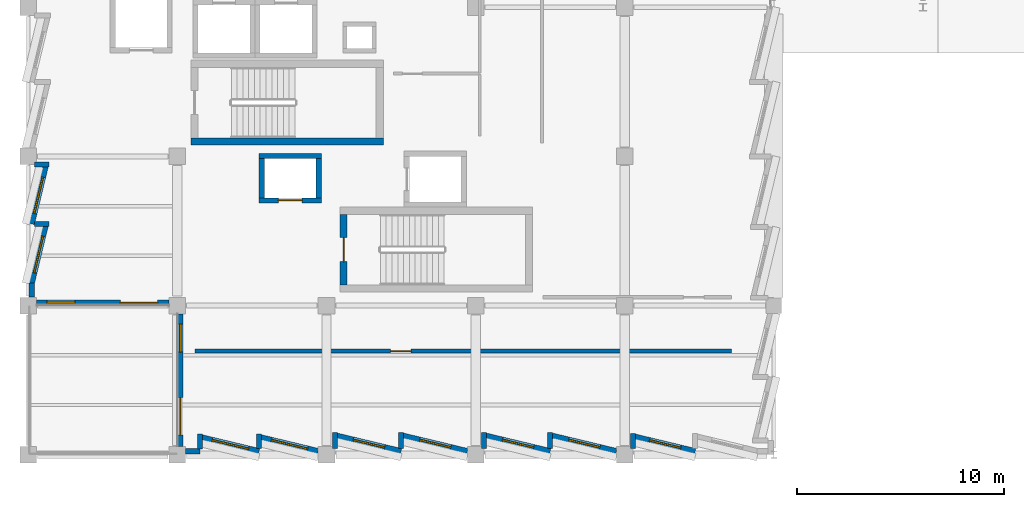
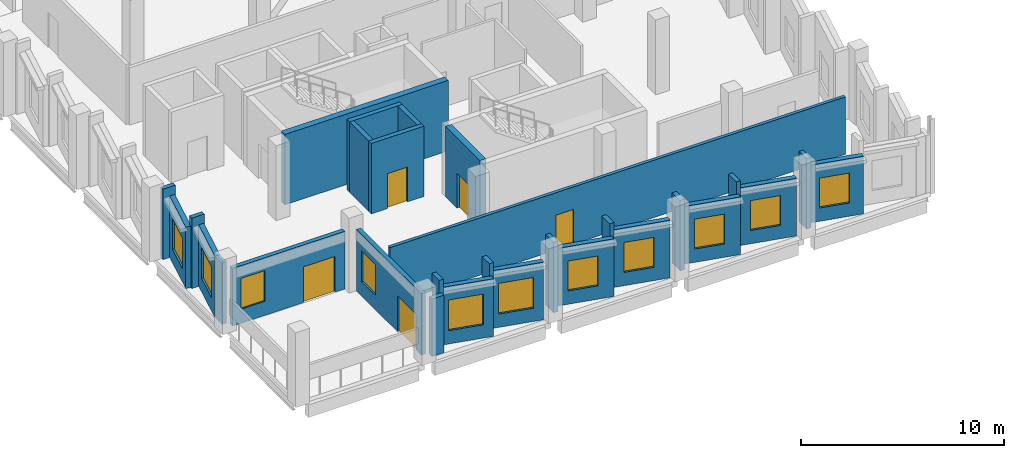
# One storey, part 88 of 123: 29 walls, 11 windows, 5 doors, 16 openings.
"""IFC4 building model written with IfcOpenShell, lengths in metres."""

from ifc_helpers import new_model, si_unit, direction, frame, frame_2d, origin, place, context, subcontext, project, spatial, rectangle, extrude, material, layer, layer_set, type_object, element, fill, save


model = new_model("IFC4")

# Units and contexts
model_context = context("Model", 3, precision=1e-05, world=origin(), true_north=direction((0.0, 1.0)))
body_context = subcontext(model_context, "Body", "Model", "MODEL_VIEW")
ifc_project = project(units=[si_unit("LENGTHUNIT", "METRE"), si_unit("AREAUNIT", "SQUARE_METRE"), si_unit("VOLUMEUNIT", "CUBIC_METRE"), si_unit("PLANEANGLEUNIT", "RADIAN"), si_unit("MASSUNIT", "GRAM", prefix="KILO")], contexts=[model_context])

# Site, building, storey
site_placement = place(None, origin())
site = spatial("IfcSite", under=ifc_project, at=site_placement, CompositionType="ELEMENT")
building_placement = place(site_placement, origin())
building = spatial("IfcBuilding", under=site, at=building_placement, Name="Kalmorath City Hall", CompositionType="ELEMENT")
storey_placement = place(building_placement, frame((0.0, 0.0, 10.199951171875)))
storey = spatial("IfcBuildingStorey", under=building, at=storey_placement, Name="L02", CompositionType="ELEMENT", Elevation=10.199951171875)

# Wall
ifc_material_1 = material(Name="Concrete C50/60", Category="concrete")
ifc_layer_1 = layer(ifc_material_1, 0.35009765625)
ifc_layer_set_1 = layer_set([ifc_layer_1], Name="Concrete C50/60")
wall_type_1 = type_object("IfcWallType", Name="Concrete core shear wall 350", PredefinedType="SHEAR", material=ifc_layer_set_1)
wall_1_placement = place(storey_placement, frame((7.85009765625, 15.125, 0.0), z_axis=(0.0, 0.0, 1.0), x_axis=(1.0, 0.0, 0.0)))
element("IfcWall", 1, at=wall_1_placement, inside=storey, type_object=wall_type_1, Name="L02 C1 stair core shear wall S", PredefinedType="SHEAR", context=body_context, shape_type="SweptSolid", body=[
    extrude(rectangle(XDim=9.2998046875, YDim=0.35009765625, at=frame_2d((4.64990234375, 0.0))), origin(), (0.0, 0.0, 1.0), 4.239990234375),
])

# Wall, opening, door
wall_2_placement = place(storey_placement, frame((15.22509765625, 11.60009765625, 0.0), z_axis=(0.0, 0.0, 1.0), x_axis=(0.0, -1.0, 0.0)))
wall_2 = element("IfcWall", 2, at=wall_2_placement, inside=storey, type_object=wall_type_1, Name="L02 C2 stair core shear wall W", PredefinedType="SHEAR", context=body_context, shape_type="SweptSolid", body=[
    extrude(rectangle(XDim=3.400146484375, YDim=0.35009765625, at=frame_2d((1.7001953125, 0.0))), origin(), (0.0, 0.0, 1.0), 4.239990234375),
])
opening_1_placement = place(wall_2_placement, frame((1.125, 0.0, 0.0)))
opening_1 = element("IfcOpeningElement", 3, at=opening_1_placement, cuts=wall_2, Name="Opening D-L02-040", PredefinedType="OPENING", context=body_context, shape_type="SweptSolid", body=[
    extrude(rectangle(XDim=1.14990234375, YDim=2.10009765625, at=frame_2d((0.574951171875, 1.050048828125))), frame((0.0, 0.18505859375, 0.0), z_axis=(0.0, -1.0, 0.0), x_axis=(1.0, 0.0, 0.0)), (0.0, 0.0, 1.0), 0.3701171875),
])
ifc_material_2 = material(Name="Galvanised steel fire door", Category="steel")
door_type_1 = type_object("IfcDoorType", Name="Stair enclosure 90-min fire door 1150x2100", OperationType="NOTDEFINED", PredefinedType="DOOR", material=ifc_material_2)
door_1_placement = place(opening_1_placement, frame((1.14990234375, 0.0, 0.0), z_axis=(0.0, 0.0, 1.0), x_axis=(-1.0, 0.0, 0.0)))
door_1 = element("IfcDoor", 4, at=door_1_placement, inside=storey, type_object=door_type_1, Name="L02 door D-L02-040", OperationType="SINGLE_SWING_RIGHT", OverallHeight=2.10009765625, OverallWidth=1.14990234375, PredefinedType="DOOR", context=body_context, shape_type="SweptSolid", body=[
    extrude(rectangle(XDim=1.14990234375, YDim=2.10009765625, at=frame_2d((0.574951171875, 1.050048828125))), frame((0.0, 0.02490234375, 0.0), z_axis=(0.0, -1.0, 0.0), x_axis=(1.0, 0.0, 0.0)), (0.0, 0.0, 1.0), 0.050048828125),
])
fill(opening_1, door_1)

ifc_material_3 = material(Name="Concrete C50/60", Category="concrete")
ifc_layer_2 = layer(ifc_material_3, 0.25)
ifc_layer_set_2 = layer_set([ifc_layer_2], Name="Concrete C50/60")
wall_type_2 = type_object("IfcWallType", Name="Concrete lift shaft wall 250", PredefinedType="SHEAR", material=ifc_layer_set_2)
wall_3_placement = place(storey_placement, frame((11.14990234375, 12.27490234375, 0.0), z_axis=(0.0, 0.0, 1.0), x_axis=(1.0, 0.0, 0.0)))
wall_3 = element("IfcWall", 5, at=wall_3_placement, inside=storey, type_object=wall_type_2, Name="L02 FL2 lift shaft wall -y", PredefinedType="SHEAR", context=body_context, shape_type="SweptSolid", body=[
    extrude(rectangle(XDim=3.0, YDim=0.25, at=frame_2d((1.5, 0.0))), origin(), (0.0, 0.0, 1.0), 4.239990234375),
])
opening_2_placement = place(wall_3_placement, frame((0.925048828125, 0.0, 0.0)))
opening_2 = element("IfcOpeningElement", 6, at=opening_2_placement, cuts=wall_3, Name="Opening LD-049", PredefinedType="OPENING", context=body_context, shape_type="SweptSolid", body=[
    extrude(rectangle(XDim=1.14990234375, YDim=2.10009765625, at=frame_2d((0.574951171875, 1.050048828125))), frame((0.0, 0.135009765625, 0.0), z_axis=(0.0, -1.0, 0.0), x_axis=(1.0, 0.0, 0.0)), (0.0, 0.0, 1.0), 0.27001953125),
])
ifc_material_4 = material(Name="Stainless steel sliding landing door", Category="steel")
door_type_2 = type_object("IfcDoorType", Name="Firefighting lift sliding landing door 1150x2100", OperationType="SLIDING_TO_RIGHT", PredefinedType="DOOR", material=ifc_material_4)
door_2_placement = place(opening_2_placement, origin())
door_2 = element("IfcDoor", 7, at=door_2_placement, inside=storey, type_object=door_type_2, Name="L02 door LD-049", OperationType="SLIDING_TO_RIGHT", OverallHeight=2.10009765625, OverallWidth=1.14990234375, PredefinedType="DOOR", context=body_context, shape_type="SweptSolid", body=[
    extrude(rectangle(XDim=1.14990234375, YDim=2.10009765625, at=frame_2d((0.574951171875, 1.050048828125))), frame((0.0, 0.02490234375, 0.0), z_axis=(0.0, -1.0, 0.0), x_axis=(1.0, 0.0, 0.0)), (0.0, 0.0, 1.0), 0.050048828125),
])
fill(opening_2, door_2)

# Walls
wall_4_placement = place(storey_placement, frame((14.14990234375, 14.425048828125, 0.0), z_axis=(0.0, 0.0, 1.0), x_axis=(-1.0, 0.0, 0.0)))
element("IfcWall", 8, at=wall_4_placement, inside=storey, type_object=wall_type_2, Name="L02 FL2 lift shaft wall +y", PredefinedType="SHEAR", context=body_context, shape_type="SweptSolid", body=[
    extrude(rectangle(XDim=3.0, YDim=0.25, at=frame_2d((1.5, 0.0))), origin(), (0.0, 0.0, 1.0), 4.239990234375),
])
for number, where, z_axis, x_axis, name in (
    (9, (11.27490234375, 14.300048828125, 0.0), (0.0, 0.0, 1.0), (0.0, -1.0, 0.0), "L02 FL2 lift shaft wall -x"),
    (10, (14.02490234375, 12.39990234375, 0.0), (0.0, 0.0, 1.0), (0.0, 1.0, 0.0), "L02 FL2 lift shaft wall +x"),
):
    element("IfcWall", number, at=place(storey_placement, frame(where, z_axis=z_axis, x_axis=x_axis)), inside=storey, type_object=wall_type_2, Name=name, PredefinedType="SHEAR", context=body_context, shape_type="SweptSolid", body=[
        extrude(rectangle(XDim=1.900146484375, YDim=0.25, at=frame_2d((0.9501953125, 0.0))), origin(), (0.0, 0.0, 1.0), 4.239990234375),
    ])

# Wall, opening, door
ifc_material_5 = material(Name="Fire-rated acoustic gypsum partition")
ifc_layer_3 = layer(ifc_material_5, 0.179931640625)
ifc_layer_set_3 = layer_set([ifc_layer_3], Name="Fire-rated acoustic gypsum partition")
wall_type_3 = type_object("IfcWallType", Name="One-hour corridor fire partition 180", PredefinedType="PARTITIONING", material=ifc_layer_set_3)
wall_5_placement = place(storey_placement, frame((8.0400390625, 5.0, 0.0), z_axis=(0.0, 0.0, 1.0), x_axis=(1.0, 0.0, 0.0)))
wall_5 = element("IfcWall", 11, at=wall_5_placement, inside=storey, type_object=wall_type_3, Name="L02 interior partition PW2 #113", PredefinedType="PARTITIONING", context=body_context, shape_type="SweptSolid", body=[
    extrude(rectangle(XDim=25.919921875, YDim=0.179931640625, at=frame_2d((12.9599609375, 0.0))), origin(), (0.0, 0.0, 1.0), 3.450927734375),
])
opening_3_placement = place(wall_5_placement, frame((9.449951171875, 0.0, 0.0)))
opening_3 = element("IfcOpeningElement", 12, at=opening_3_placement, cuts=wall_5, Name="Opening D-L02-205", PredefinedType="OPENING", context=body_context, shape_type="SweptSolid", body=[
    extrude(rectangle(XDim=1.0, YDim=2.10009765625, at=frame_2d((0.5, 1.050048828125))), frame((0.0, 0.099853515625, 0.0), z_axis=(0.0, -1.0, 0.0), x_axis=(1.0, 0.0, 0.0)), (0.0, 0.0, 1.0), 0.199951171875),
])
ifc_material_6 = material(Name="Hardwood fire door", Category="wood")
door_type_3 = type_object("IfcDoorType", Name="Corridor 60-min fire door 1000x2100", OperationType="NOTDEFINED", PredefinedType="DOOR", material=ifc_material_6)
door_3_placement = place(opening_3_placement, origin())
door_3 = element("IfcDoor", 13, at=door_3_placement, inside=storey, type_object=door_type_3, Name="L02 door D-L02-205", OperationType="SINGLE_SWING_LEFT", OverallHeight=2.10009765625, OverallWidth=1.0, PredefinedType="DOOR", context=body_context, shape_type="SweptSolid", body=[
    extrude(rectangle(XDim=1.0, YDim=2.10009765625, at=frame_2d((0.5, 1.050048828125))), frame((0.0, 0.02490234375, 0.0), z_axis=(0.0, -1.0, 0.0), x_axis=(1.0, 0.0, 0.0)), (0.0, 0.0, 1.0), 0.050048828125),
])
fill(opening_3, door_3)

# Walls
ifc_material_7 = material(Name="Precast concrete C40/50", Category="concrete")
ifc_layer_4 = layer(ifc_material_7, 0.239990234375)
ifc_layer_set_4 = layer_set([ifc_layer_4], Name="Precast concrete C40/50")
wall_type_4 = type_object("IfcWallType", Name="Precast sawtooth cheek wall 240", PredefinedType="SOLIDWALL", material=ifc_layer_set_4)
for number, where, z_axis, x_axis, name in (
    (14, (0.991455078125, 11.139892578125, 0.0), (0.0, 0.0, 1.0), (-1.0, 0.0, 0.0), "L02 sawtooth return cheek #352"),
    (15, (0.991455078125, 13.9990234375, 0.0), (0.0, 0.0, 1.0), (-1.0, 0.0, 0.0), "L02 sawtooth return cheek #354"),
):
    element("IfcWall", number, at=place(storey_placement, frame(where, z_axis=z_axis, x_axis=x_axis)), inside=storey, type_object=wall_type_4, Name=name, PredefinedType="SOLIDWALL", context=body_context, shape_type="SweptSolid", body=[
        extrude(rectangle(XDim=0.699462890625, YDim=0.239990234375, at=frame_2d((0.349609375, 0.0))), origin(), (0.0, 0.0, 1.0), 4.239990234375),
    ])
wall_6_placement = place(storey_placement, frame((29.200927734375, 1.024169921875, 0.0), z_axis=(0.0, 0.0, 1.0), x_axis=(0.0, -1.0, 0.0)))
element("IfcWall", 16, at=wall_6_placement, inside=storey, type_object=wall_type_4, Name="L02 sawtooth return cheek #515", PredefinedType="SOLIDWALL", context=body_context, shape_type="SweptSolid", body=[
    extrude(rectangle(XDim=0.732177734375, YDim=0.239990234375, at=frame_2d((0.3662109375, 0.0))), origin(), (0.0, 0.0, 1.0), 4.239990234375),
])
for number, where, z_axis, x_axis, name in (
    (17, (25.199951171875, 1.072998046875, 0.0), (0.0, 0.0, 1.0), (0.0, -1.0, 0.0), "L02 sawtooth return cheek #517"),
    (18, (22.0009765625, 1.072998046875, 0.0), (0.0, 0.0, 1.0), (0.0, -1.0, 0.0), "L02 sawtooth return cheek #519"),
    (19, (18.0, 1.072998046875, 0.0), (0.0, 0.0, 1.0), (0.0, -1.0, 0.0), "L02 sawtooth return cheek #521"),
    (20, (14.801025390625, 1.072998046875, 0.0), (0.0, 0.0, 1.0), (0.0, -1.0, 0.0), "L02 sawtooth return cheek #523"),
):
    element("IfcWall", number, at=place(storey_placement, frame(where, z_axis=z_axis, x_axis=x_axis)), inside=storey, type_object=wall_type_4, Name=name, PredefinedType="SOLIDWALL", context=body_context, shape_type="SweptSolid", body=[
        extrude(rectangle(XDim=0.781005859375, YDim=0.239990234375, at=frame_2d((0.390625, 0.0))), origin(), (0.0, 0.0, 1.0), 4.239990234375),
    ])
wall_7_placement = place(storey_placement, frame((11.139892578125, 0.991455078125, 0.0), z_axis=(0.0, 0.0, 1.0), x_axis=(0.0, -1.0, 0.0)))
element("IfcWall", 21, at=wall_7_placement, inside=storey, type_object=wall_type_4, Name="L02 sawtooth return cheek #526", PredefinedType="SOLIDWALL", context=body_context, shape_type="SweptSolid", body=[
    extrude(rectangle(XDim=0.699462890625, YDim=0.239990234375, at=frame_2d((0.349609375, 0.0))), origin(), (0.0, 0.0, 1.0), 4.239990234375),
])
wall_8_placement = place(storey_placement, frame((8.281005859375, 0.991455078125, 0.0), z_axis=(0.0, 0.0, 1.0), x_axis=(0.0, -1.0, 0.0)))
element("IfcWall", 22, at=wall_8_placement, inside=storey, type_object=wall_type_4, Name="L02 sawtooth return cheek #528", PredefinedType="SOLIDWALL", context=body_context, shape_type="SweptSolid", body=[
    extrude(rectangle(XDim=0.70947265625, YDim=0.239990234375, at=frame_2d((0.354736328125, 0.0))), origin(), (0.0, 0.0, 1.0), 4.239990234375),
])

# Wall, opening, window
ifc_material_8 = material(Name="Precast concrete C40/50", Category="concrete")
ifc_layer_5 = layer(ifc_material_8, 0.280029296875)
ifc_layer_set_5 = layer_set([ifc_layer_5], Name="Precast concrete C40/50")
wall_type_5 = type_object("IfcWallType", Name="Precast sawtooth facade wall 280", PredefinedType="SOLIDWALL", material=ifc_layer_set_5)
wall_9_placement = place(storey_placement, frame((0.159912109375, 8.281005859375, 0.0), z_axis=(0.0, 0.0, 1.0), x_axis=(0.233480047176, 0.972361593015, 0.0)))
wall_9 = element("IfcWall", 23, at=wall_9_placement, inside=storey, type_object=wall_type_5, Name="L02 sawtooth precast frame #351", PredefinedType="SOLIDWALL", context=body_context, shape_type="SweptSolid", body=[
    extrude(rectangle(XDim=2.84521484375, YDim=0.280029296875, at=frame_2d((1.422607421875, 0.0))), origin(), (0.0, 0.0, 1.0), 3.696044921875),
])
opening_4_placement = place(wall_9_placement, frame((0.522705078125, 0.0, 0.800048828125)))
opening_4 = element("IfcOpeningElement", 24, at=opening_4_placement, cuts=wall_9, Name="Opening WN4", PredefinedType="OPENING", context=body_context, shape_type="SweptSolid", body=[
    extrude(rectangle(XDim=1.800048828125, YDim=1.85009765625, at=frame_2d((0.89990234375, 0.925048828125))), frame((0.0, 0.14990234375, 0.0), z_axis=(0.0, -1.0, 0.0), x_axis=(1.0, 0.0, 0.0)), (0.0, 0.0, 1.0), 0.300048828125),
])
ifc_material_9 = material(Name="Aluminium and laminated glass", Category="aluminium")
window_type_1 = type_object("IfcWindowType", Name="Sawtooth executive window 1800x1850", PartitioningType="SINGLE_PANEL", PredefinedType="WINDOW", material=ifc_material_9)
window_1_placement = place(opening_4_placement, origin())
window_1 = element("IfcWindow", 25, at=window_1_placement, inside=storey, type_object=window_type_1, Name="L02 window WN4-169", OverallHeight=1.85009765625, OverallWidth=1.800048828125, PartitioningType="SINGLE_PANEL", PredefinedType="WINDOW", context=body_context, shape_type="SweptSolid", body=[
    extrude(rectangle(XDim=1.800048828125, YDim=1.85009765625, at=frame_2d((0.89990234375, 0.925048828125))), frame((0.0, 0.030029296875, 0.0), z_axis=(0.0, -1.0, 0.0), x_axis=(1.0, 0.0, 0.0)), (0.0, 0.0, 1.0), 0.06005859375),
])
fill(opening_4, window_1)

wall_10_placement = place(storey_placement, frame((0.159912109375, 11.139892578125, 0.0), z_axis=(0.0, 0.0, 1.0), x_axis=(0.233480047176, 0.972361593015, 0.0)))
wall_10 = element("IfcWall", 26, at=wall_10_placement, inside=storey, type_object=wall_type_5, Name="L02 sawtooth precast frame #353", PredefinedType="SOLIDWALL", context=body_context, shape_type="SweptSolid", body=[
    extrude(rectangle(XDim=2.84521484375, YDim=0.280029296875, at=frame_2d((1.422607421875, 0.0))), origin(), (0.0, 0.0, 1.0), 3.696044921875),
])
opening_5_placement = place(wall_10_placement, frame((0.522705078125, 0.0, 0.800048828125)))
opening_5 = element("IfcOpeningElement", 27, at=opening_5_placement, cuts=wall_10, Name="Opening WN4", PredefinedType="OPENING", context=body_context, shape_type="SweptSolid", body=[
    extrude(rectangle(XDim=1.800048828125, YDim=1.85009765625, at=frame_2d((0.89990234375, 0.925048828125))), frame((0.0, 0.14990234375, 0.0), z_axis=(0.0, -1.0, 0.0), x_axis=(1.0, 0.0, 0.0)), (0.0, 0.0, 1.0), 0.300048828125),
])
window_2_placement = place(opening_5_placement, origin())
window_2 = element("IfcWindow", 28, at=window_2_placement, inside=storey, type_object=window_type_1, Name="L02 window WN4-170", OverallHeight=1.85009765625, OverallWidth=1.800048828125, PartitioningType="SINGLE_PANEL", PredefinedType="WINDOW", context=body_context, shape_type="SweptSolid", body=[
    extrude(rectangle(XDim=1.800048828125, YDim=1.85009765625, at=frame_2d((0.89990234375, 0.925048828125))), frame((0.0, 0.030029296875, 0.0), z_axis=(0.0, -1.0, 0.0), x_axis=(1.0, 0.0, 0.0)), (0.0, 0.0, 1.0), 0.06005859375),
])
fill(opening_5, window_2)

wall_11_placement = place(storey_placement, frame((32.196533203125, 0.159912109375, 0.0), z_axis=(0.0, 0.0, 1.0), x_axis=(-0.972365772055, 0.233462642269, 0.0)))
wall_11 = element("IfcWall", 29, at=wall_11_placement, inside=storey, type_object=wall_type_5, Name="L02 sawtooth precast frame #514", PredefinedType="SOLIDWALL", context=body_context, shape_type="SweptSolid", body=[
    extrude(rectangle(XDim=2.985595703125, YDim=0.280029296875, at=frame_2d((1.49267578125, 0.0))), origin(), (0.0, 0.0, 1.0), 3.470947265625),
])
opening_6_placement = place(wall_11_placement, frame((0.7177734375, 0.0, 0.800048828125)))
opening_6 = element("IfcOpeningElement", 30, at=opening_6_placement, cuts=wall_11, Name="Opening WN5", PredefinedType="OPENING", context=body_context, shape_type="SweptSolid", body=[
    extrude(rectangle(XDim=1.550048828125, YDim=1.800048828125, at=frame_2d((0.77490234375, 0.89990234375))), frame((0.0, 0.14990234375, 0.0), z_axis=(0.0, -1.0, 0.0), x_axis=(1.0, 0.0, 0.0)), (0.0, 0.0, 1.0), 0.300048828125),
])
ifc_material_10 = material(Name="Aluminium and laminated glass", Category="aluminium")
window_type_2 = type_object("IfcWindowType", Name="Sawtooth corner bay window 1550x1800", PartitioningType="SINGLE_PANEL", PredefinedType="WINDOW", material=ifc_material_10)
window_3_placement = place(opening_6_placement, origin())
window_3 = element("IfcWindow", 31, at=window_3_placement, inside=storey, type_object=window_type_2, Name="L02 window WN5-268", OverallHeight=1.800048828125, OverallWidth=1.550048828125, PartitioningType="SINGLE_PANEL", PredefinedType="WINDOW", context=body_context, shape_type="SweptSolid", body=[
    extrude(rectangle(XDim=1.550048828125, YDim=1.800048828125, at=frame_2d((0.77490234375, 0.89990234375))), frame((0.0, 0.030029296875, 0.0), z_axis=(0.0, -1.0, 0.0), x_axis=(1.0, 0.0, 0.0)), (0.0, 0.0, 1.0), 0.06005859375),
])
fill(opening_6, window_3)

wall_12_placement = place(storey_placement, frame((28.39892578125, 0.159912109375, 0.0), z_axis=(0.0, 0.0, 1.0), x_axis=(-0.972365793939, 0.233462551123, 0.0)))
wall_12 = element("IfcWall", 32, at=wall_12_placement, inside=storey, type_object=wall_type_5, Name="L02 sawtooth precast frame #516", PredefinedType="SOLIDWALL", context=body_context, shape_type="SweptSolid", body=[
    extrude(rectangle(XDim=3.19482421875, YDim=0.280029296875, at=frame_2d((1.597412109375, 0.0))), origin(), (0.0, 0.0, 1.0), 3.470947265625),
])
opening_7_placement = place(wall_12_placement, frame((0.822509765625, 0.0, 0.800048828125)))
opening_7 = element("IfcOpeningElement", 33, at=opening_7_placement, cuts=wall_12, Name="Opening WN5", PredefinedType="OPENING", context=body_context, shape_type="SweptSolid", body=[
    extrude(rectangle(XDim=1.550048828125, YDim=1.800048828125, at=frame_2d((0.77490234375, 0.89990234375))), frame((0.0, 0.14990234375, 0.0), z_axis=(0.0, -1.0, 0.0), x_axis=(1.0, 0.0, 0.0)), (0.0, 0.0, 1.0), 0.300048828125),
])
window_4_placement = place(opening_7_placement, origin())
window_4 = element("IfcWindow", 34, at=window_4_placement, inside=storey, type_object=window_type_2, Name="L02 window WN5-269", OverallHeight=1.800048828125, OverallWidth=1.550048828125, PartitioningType="SINGLE_PANEL", PredefinedType="WINDOW", context=body_context, shape_type="SweptSolid", body=[
    extrude(rectangle(XDim=1.550048828125, YDim=1.800048828125, at=frame_2d((0.77490234375, 0.89990234375))), frame((0.0, 0.030029296875, 0.0), z_axis=(0.0, -1.0, 0.0), x_axis=(1.0, 0.0, 0.0)), (0.0, 0.0, 1.0), 0.06005859375),
])
fill(opening_7, window_4)

wall_13_placement = place(storey_placement, frame((25.199951171875, 0.159912109375, 0.0), z_axis=(0.0, 0.0, 1.0), x_axis=(-0.972365793939, 0.233462551123, 0.0)))
wall_13 = element("IfcWall", 35, at=wall_13_placement, inside=storey, type_object=wall_type_5, Name="L02 sawtooth precast frame #518", PredefinedType="SOLIDWALL", context=body_context, shape_type="SweptSolid", body=[
    extrude(rectangle(XDim=3.19482421875, YDim=0.280029296875, at=frame_2d((1.597412109375, 0.0))), origin(), (0.0, 0.0, 1.0), 3.470947265625),
])
opening_8_placement = place(wall_13_placement, frame((0.822509765625, 0.0, 0.800048828125)))
opening_8 = element("IfcOpeningElement", 36, at=opening_8_placement, cuts=wall_13, Name="Opening WN5", PredefinedType="OPENING", context=body_context, shape_type="SweptSolid", body=[
    extrude(rectangle(XDim=1.550048828125, YDim=1.800048828125, at=frame_2d((0.77490234375, 0.89990234375))), frame((0.0, 0.14990234375, 0.0), z_axis=(0.0, -1.0, 0.0), x_axis=(1.0, 0.0, 0.0)), (0.0, 0.0, 1.0), 0.300048828125),
])
window_5_placement = place(opening_8_placement, origin())
window_5 = element("IfcWindow", 37, at=window_5_placement, inside=storey, type_object=window_type_2, Name="L02 window WN5-270", OverallHeight=1.800048828125, OverallWidth=1.550048828125, PartitioningType="SINGLE_PANEL", PredefinedType="WINDOW", context=body_context, shape_type="SweptSolid", body=[
    extrude(rectangle(XDim=1.550048828125, YDim=1.800048828125, at=frame_2d((0.77490234375, 0.89990234375))), frame((0.0, 0.030029296875, 0.0), z_axis=(0.0, -1.0, 0.0), x_axis=(1.0, 0.0, 0.0)), (0.0, 0.0, 1.0), 0.06005859375),
])
fill(opening_8, window_5)

wall_14_placement = place(storey_placement, frame((21.198974609375, 0.159912109375, 0.0), z_axis=(0.0, 0.0, 1.0), x_axis=(-0.972369958719, 0.233445204235, 0.0)))
wall_14 = element("IfcWall", 38, at=wall_14_placement, inside=storey, type_object=wall_type_5, Name="L02 sawtooth precast frame #520", PredefinedType="SOLIDWALL", context=body_context, shape_type="SweptSolid", body=[
    extrude(rectangle(XDim=3.195068359375, YDim=0.280029296875, at=frame_2d((1.59765625, 0.0))), origin(), (0.0, 0.0, 1.0), 3.470947265625),
])
opening_9_placement = place(wall_14_placement, frame((0.822509765625, 0.0, 0.800048828125)))
opening_9 = element("IfcOpeningElement", 39, at=opening_9_placement, cuts=wall_14, Name="Opening WN5", PredefinedType="OPENING", context=body_context, shape_type="SweptSolid", body=[
    extrude(rectangle(XDim=1.550048828125, YDim=1.800048828125, at=frame_2d((0.77490234375, 0.89990234375))), frame((0.0, 0.14990234375, 0.0), z_axis=(0.0, -1.0, 0.0), x_axis=(1.0, 0.0, 0.0)), (0.0, 0.0, 1.0), 0.300048828125),
])
window_6_placement = place(opening_9_placement, origin())
window_6 = element("IfcWindow", 40, at=window_6_placement, inside=storey, type_object=window_type_2, Name="L02 window WN5-271", OverallHeight=1.800048828125, OverallWidth=1.550048828125, PartitioningType="SINGLE_PANEL", PredefinedType="WINDOW", context=body_context, shape_type="SweptSolid", body=[
    extrude(rectangle(XDim=1.550048828125, YDim=1.800048828125, at=frame_2d((0.77490234375, 0.89990234375))), frame((0.0, 0.030029296875, 0.0), z_axis=(0.0, -1.0, 0.0), x_axis=(1.0, 0.0, 0.0)), (0.0, 0.0, 1.0), 0.06005859375),
])
fill(opening_9, window_6)

wall_15_placement = place(storey_placement, frame((18.0, 0.159912109375, 0.0), z_axis=(0.0, 0.0, 1.0), x_axis=(-0.972369958719, 0.233445204235, 0.0)))
wall_15 = element("IfcWall", 41, at=wall_15_placement, inside=storey, type_object=wall_type_5, Name="L02 sawtooth precast frame #522", PredefinedType="SOLIDWALL", context=body_context, shape_type="SweptSolid", body=[
    extrude(rectangle(XDim=3.195068359375, YDim=0.280029296875, at=frame_2d((1.59765625, 0.0))), origin(), (0.0, 0.0, 1.0), 3.470947265625),
])
opening_10_placement = place(wall_15_placement, frame((0.822509765625, 0.0, 0.800048828125)))
opening_10 = element("IfcOpeningElement", 42, at=opening_10_placement, cuts=wall_15, Name="Opening WN5", PredefinedType="OPENING", context=body_context, shape_type="SweptSolid", body=[
    extrude(rectangle(XDim=1.550048828125, YDim=1.800048828125, at=frame_2d((0.77490234375, 0.89990234375))), frame((0.0, 0.14990234375, 0.0), z_axis=(0.0, -1.0, 0.0), x_axis=(1.0, 0.0, 0.0)), (0.0, 0.0, 1.0), 0.300048828125),
])
window_7_placement = place(opening_10_placement, origin())
window_7 = element("IfcWindow", 43, at=window_7_placement, inside=storey, type_object=window_type_2, Name="L02 window WN5-272", OverallHeight=1.800048828125, OverallWidth=1.550048828125, PartitioningType="SINGLE_PANEL", PredefinedType="WINDOW", context=body_context, shape_type="SweptSolid", body=[
    extrude(rectangle(XDim=1.550048828125, YDim=1.800048828125, at=frame_2d((0.77490234375, 0.89990234375))), frame((0.0, 0.030029296875, 0.0), z_axis=(0.0, -1.0, 0.0), x_axis=(1.0, 0.0, 0.0)), (0.0, 0.0, 1.0), 0.06005859375),
])
fill(opening_10, window_7)

wall_16_placement = place(storey_placement, frame((13.9990234375, 0.159912109375, 0.0), z_axis=(0.0, 0.0, 1.0), x_axis=(-0.972361593015, 0.233480047176, 0.0)))
wall_16 = element("IfcWall", 44, at=wall_16_placement, inside=storey, type_object=wall_type_5, Name="L02 sawtooth precast frame #525", PredefinedType="SOLIDWALL", context=body_context, shape_type="SweptSolid", body=[
    extrude(rectangle(XDim=2.84521484375, YDim=0.280029296875, at=frame_2d((1.422607421875, 0.0))), origin(), (0.0, 0.0, 1.0), 3.470947265625),
])
opening_11_placement = place(wall_16_placement, frame((0.522705078125, 0.0, 0.800048828125)))
opening_11 = element("IfcOpeningElement", 45, at=opening_11_placement, cuts=wall_16, Name="Opening WN4", PredefinedType="OPENING", context=body_context, shape_type="SweptSolid", body=[
    extrude(rectangle(XDim=1.800048828125, YDim=1.85009765625, at=frame_2d((0.89990234375, 0.925048828125))), frame((0.0, 0.14990234375, 0.0), z_axis=(0.0, -1.0, 0.0), x_axis=(1.0, 0.0, 0.0)), (0.0, 0.0, 1.0), 0.300048828125),
])
window_8_placement = place(opening_11_placement, origin())
window_8 = element("IfcWindow", 46, at=window_8_placement, inside=storey, type_object=window_type_1, Name="L02 window WN4-273", OverallHeight=1.85009765625, OverallWidth=1.800048828125, PartitioningType="SINGLE_PANEL", PredefinedType="WINDOW", context=body_context, shape_type="SweptSolid", body=[
    extrude(rectangle(XDim=1.800048828125, YDim=1.85009765625, at=frame_2d((0.89990234375, 0.925048828125))), frame((0.0, 0.030029296875, 0.0), z_axis=(0.0, -1.0, 0.0), x_axis=(1.0, 0.0, 0.0)), (0.0, 0.0, 1.0), 0.06005859375),
])
fill(opening_11, window_8)

wall_17_placement = place(storey_placement, frame((11.139892578125, 0.159912109375, 0.0), z_axis=(0.0, 0.0, 1.0), x_axis=(-0.972361593015, 0.233480047176, 0.0)))
wall_17 = element("IfcWall", 47, at=wall_17_placement, inside=storey, type_object=wall_type_5, Name="L02 sawtooth precast frame #527", PredefinedType="SOLIDWALL", context=body_context, shape_type="SweptSolid", body=[
    extrude(rectangle(XDim=2.84521484375, YDim=0.280029296875, at=frame_2d((1.422607421875, 0.0))), origin(), (0.0, 0.0, 1.0), 3.470947265625),
])
opening_12_placement = place(wall_17_placement, frame((0.522705078125, 0.0, 0.800048828125)))
opening_12 = element("IfcOpeningElement", 48, at=opening_12_placement, cuts=wall_17, Name="Opening WN4", PredefinedType="OPENING", context=body_context, shape_type="SweptSolid", body=[
    extrude(rectangle(XDim=1.800048828125, YDim=1.85009765625, at=frame_2d((0.89990234375, 0.925048828125))), frame((0.0, 0.14990234375, 0.0), z_axis=(0.0, -1.0, 0.0), x_axis=(1.0, 0.0, 0.0)), (0.0, 0.0, 1.0), 0.300048828125),
])
window_9_placement = place(opening_12_placement, origin())
window_9 = element("IfcWindow", 49, at=window_9_placement, inside=storey, type_object=window_type_1, Name="L02 window WN4-274", OverallHeight=1.85009765625, OverallWidth=1.800048828125, PartitioningType="SINGLE_PANEL", PredefinedType="WINDOW", context=body_context, shape_type="SweptSolid", body=[
    extrude(rectangle(XDim=1.800048828125, YDim=1.85009765625, at=frame_2d((0.89990234375, 0.925048828125))), frame((0.0, 0.030029296875, 0.0), z_axis=(0.0, -1.0, 0.0), x_axis=(1.0, 0.0, 0.0)), (0.0, 0.0, 1.0), 0.06005859375),
])
fill(opening_12, window_9)

# Walls
ifc_material_11 = material(Name="Precast concrete C40/50", Category="concrete")
ifc_layer_6 = layer(ifc_material_11, 0.260009765625)
ifc_layer_set_6 = layer_set([ifc_layer_6], Name="Precast concrete C40/50")
wall_type_6 = type_object("IfcWallType", Name="Precast sawtooth return wall 260", PredefinedType="SOLIDWALL", material=ifc_layer_set_6)
wall_18_placement = place(storey_placement, frame((0.159912109375, 7.60107421875, 0.0), z_axis=(0.0, 0.0, 1.0), x_axis=(0.0, 1.0, 0.0)))
element("IfcWall", 50, at=wall_18_placement, inside=storey, type_object=wall_type_6, Name="L02 corner pier wall #350", PredefinedType="SOLIDWALL", context=body_context, shape_type="SweptSolid", body=[
    extrude(rectangle(XDim=0.679931640625, YDim=0.260009765625, at=frame_2d((0.33984375, 0.0))), origin(), (0.0, 0.0, 1.0), 3.696044921875),
])
wall_19_placement = place(storey_placement, frame((8.281005859375, 0.159912109375, 0.0), z_axis=(0.0, 0.0, 1.0), x_axis=(-1.0, 0.0, 0.0)))
element("IfcWall", 51, at=wall_19_placement, inside=storey, type_object=wall_type_6, Name="L02 corner pier wall #524", PredefinedType="SOLIDWALL", context=body_context, shape_type="SweptSolid", body=[
    extrude(rectangle(XDim=0.679931640625, YDim=0.260009765625, at=frame_2d((0.33984375, 0.0))), origin(), (0.0, 0.0, 1.0), 3.470947265625),
])

# Wall, openings, door, window
ifc_material_12 = material(Name="Precast concrete C40/50", Category="concrete")
ifc_layer_7 = layer(ifc_material_12, 0.239990234375)
ifc_layer_set_7 = layer_set([ifc_layer_7], Name="Precast concrete C40/50")
wall_type_7 = type_object("IfcWallType", Name="Recessed loggia insulated wall 240", PredefinedType="SOLIDWALL", material=ifc_layer_set_7)
wall_20_placement = place(storey_placement, frame((7.340087890625, 0.40087890625, 0.0), z_axis=(0.0, 0.0, 1.0), x_axis=(0.0, 1.0, 0.0)))
wall_20 = element("IfcWall", 52, at=wall_20_placement, inside=storey, type_object=wall_type_7, Name="L02 loggia wall #529", PredefinedType="SOLIDWALL", context=body_context, shape_type="SweptSolid", body=[
    extrude(rectangle(XDim=6.398193359375, YDim=0.239990234375, at=frame_2d((3.19921875, 0.0))), origin(), (0.0, 0.0, 1.0), 3.696044921875),
])
opening_13_placement = place(wall_20_placement, frame((0.550048828125, 0.0, 0.0)))
opening_13 = element("IfcOpeningElement", 53, at=opening_13_placement, cuts=wall_20, Name="Opening D-E022", PredefinedType="OPENING", context=body_context, shape_type="SweptSolid", body=[
    extrude(rectangle(XDim=1.800048828125, YDim=2.14990234375, at=frame_2d((0.89990234375, 1.074951171875))), frame((0.0, 0.1298828125, 0.0), z_axis=(0.0, -1.0, 0.0), x_axis=(1.0, 0.0, 0.0)), (0.0, 0.0, 1.0), 0.260009765625),
])
opening_14_placement = place(wall_20_placement, frame((4.548095703125, 0.0, 0.85009765625)))
opening_14 = element("IfcOpeningElement", 54, at=opening_14_placement, cuts=wall_20, Name="Opening WN17", PredefinedType="OPENING", context=body_context, shape_type="SweptSolid", body=[
    extrude(rectangle(XDim=1.35009765625, YDim=1.85009765625, at=frame_2d((0.675048828125, 0.925048828125))), frame((0.0, 0.1298828125, 0.0), z_axis=(0.0, -1.0, 0.0), x_axis=(1.0, 0.0, 0.0)), (0.0, 0.0, 1.0), 0.260009765625),
])
ifc_material_13 = material(Name="Bronze-anodised aluminium and glass", Category="aluminium")
door_type_4 = type_object("IfcDoorType", Name="Roof garden double terrace door 1800x2150", OperationType="DOUBLE_DOOR_SINGLE_SWING", PredefinedType="DOOR", material=ifc_material_13)
door_4_placement = place(opening_13_placement, origin())
door_4 = element("IfcDoor", 55, at=door_4_placement, inside=storey, type_object=door_type_4, Name="L02 exterior door D-E022", OperationType="DOUBLE_DOOR_SINGLE_SWING", OverallHeight=2.14990234375, OverallWidth=1.800048828125, PredefinedType="DOOR", context=body_context, shape_type="SweptSolid", body=[
    extrude(rectangle(XDim=1.800048828125, YDim=2.14990234375, at=frame_2d((0.89990234375, 1.074951171875))), frame((0.0, 0.02490234375, 0.0), z_axis=(0.0, -1.0, 0.0), x_axis=(1.0, 0.0, 0.0)), (0.0, 0.0, 1.0), 0.050048828125),
])
fill(opening_13, door_4)
ifc_material_14 = material(Name="Hardwood-trimmed laminated glass", Category="wood")
window_type_3 = type_object("IfcWindowType", Name="Terrace overlook window 1350x1850", PartitioningType="SINGLE_PANEL", PredefinedType="WINDOW", material=ifc_material_14)
window_10_placement = place(opening_14_placement, origin())
window_10 = element("IfcWindow", 56, at=window_10_placement, inside=storey, type_object=window_type_3, Name="L02 window WN17-275", OverallHeight=1.85009765625, OverallWidth=1.35009765625, PartitioningType="SINGLE_PANEL", PredefinedType="WINDOW", context=body_context, shape_type="SweptSolid", body=[
    extrude(rectangle(XDim=1.35009765625, YDim=1.85009765625, at=frame_2d((0.675048828125, 0.925048828125))), frame((0.0, 0.030029296875, 0.0), z_axis=(0.0, -1.0, 0.0), x_axis=(1.0, 0.0, 0.0)), (0.0, 0.0, 1.0), 0.06005859375),
])
fill(opening_14, window_10)

wall_21_placement = place(storey_placement, frame((6.799072265625, 7.340087890625, 0.0), z_axis=(0.0, 0.0, 1.0), x_axis=(-1.0, 0.0, 0.0)))
wall_21 = element("IfcWall", 57, at=wall_21_placement, inside=storey, type_object=wall_type_7, Name="L02 loggia wall #530", PredefinedType="SOLIDWALL", context=body_context, shape_type="SweptSolid", body=[
    extrude(rectangle(XDim=6.398193359375, YDim=0.239990234375, at=frame_2d((3.19921875, 0.0))), origin(), (0.0, 0.0, 1.0), 3.470947265625),
])
opening_15_placement = place(wall_21_placement, frame((0.550048828125, 0.0, 0.0)))
opening_15 = element("IfcOpeningElement", 58, at=opening_15_placement, cuts=wall_21, Name="Opening D-E023", PredefinedType="OPENING", context=body_context, shape_type="SweptSolid", body=[
    extrude(rectangle(XDim=1.800048828125, YDim=2.14990234375, at=frame_2d((0.89990234375, 1.074951171875))), frame((0.0, 0.1298828125, 0.0), z_axis=(0.0, -1.0, 0.0), x_axis=(1.0, 0.0, 0.0)), (0.0, 0.0, 1.0), 0.260009765625),
])
opening_16_placement = place(wall_21_placement, frame((4.548095703125, 0.0, 0.85009765625)))
opening_16 = element("IfcOpeningElement", 59, at=opening_16_placement, cuts=wall_21, Name="Opening WN17", PredefinedType="OPENING", context=body_context, shape_type="SweptSolid", body=[
    extrude(rectangle(XDim=1.35009765625, YDim=1.85009765625, at=frame_2d((0.675048828125, 0.925048828125))), frame((0.0, 0.1298828125, 0.0), z_axis=(0.0, -1.0, 0.0), x_axis=(1.0, 0.0, 0.0)), (0.0, 0.0, 1.0), 0.260009765625),
])
door_5_placement = place(opening_15_placement, origin())
door_5 = element("IfcDoor", 60, at=door_5_placement, inside=storey, type_object=door_type_4, Name="L02 exterior door D-E023", OperationType="DOUBLE_DOOR_SINGLE_SWING", OverallHeight=2.14990234375, OverallWidth=1.800048828125, PredefinedType="DOOR", context=body_context, shape_type="SweptSolid", body=[
    extrude(rectangle(XDim=1.800048828125, YDim=2.14990234375, at=frame_2d((0.89990234375, 1.074951171875))), frame((0.0, 0.02490234375, 0.0), z_axis=(0.0, -1.0, 0.0), x_axis=(1.0, 0.0, 0.0)), (0.0, 0.0, 1.0), 0.050048828125),
])
fill(opening_15, door_5)
window_11_placement = place(opening_16_placement, origin())
window_11 = element("IfcWindow", 61, at=window_11_placement, inside=storey, type_object=window_type_3, Name="L02 window WN17-276", OverallHeight=1.85009765625, OverallWidth=1.35009765625, PartitioningType="SINGLE_PANEL", PredefinedType="WINDOW", context=body_context, shape_type="SweptSolid", body=[
    extrude(rectangle(XDim=1.35009765625, YDim=1.85009765625, at=frame_2d((0.675048828125, 0.925048828125))), frame((0.0, 0.030029296875, 0.0), z_axis=(0.0, -1.0, 0.0), x_axis=(1.0, 0.0, 0.0)), (0.0, 0.0, 1.0), 0.06005859375),
])
fill(opening_16, window_11)

save(model, "model.ifc")
